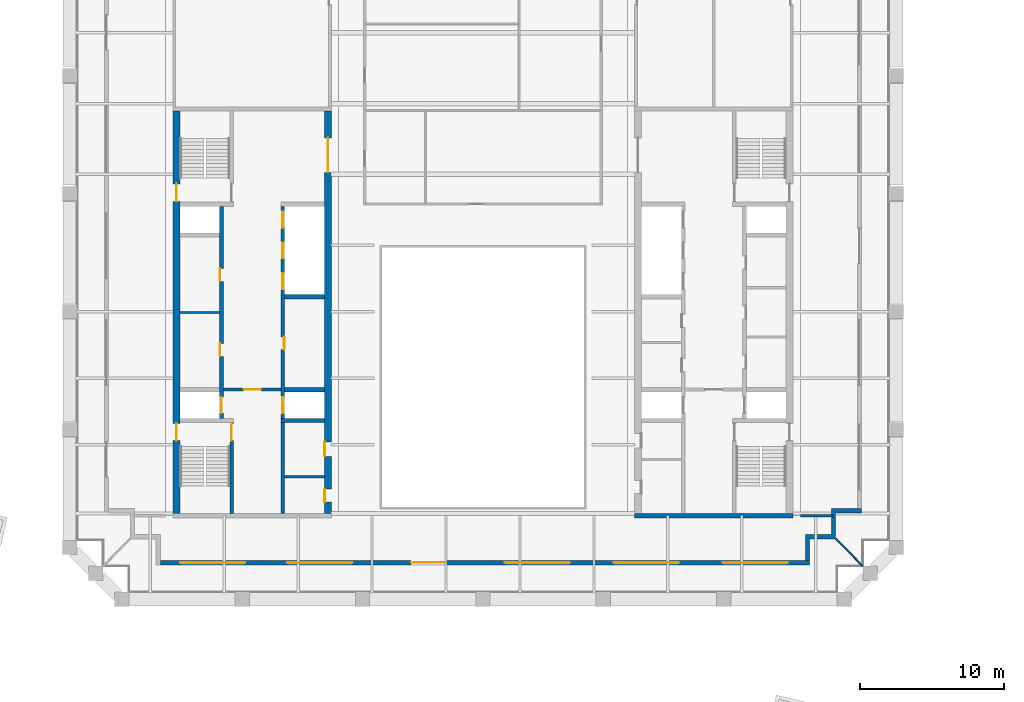
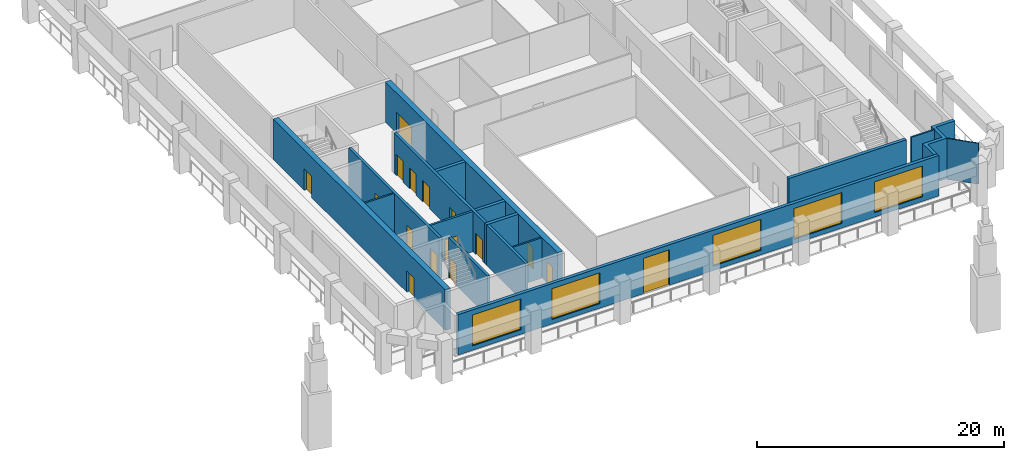
# One storey, part 3 of 8: 16 doors, 16 walls, 5 windows, 21 openings.
"""IFC4 building model written with IfcOpenShell, lengths in metres."""

from ifc_helpers import new_model, si_unit, direction, frame, frame_2d, origin, place, context, subcontext, project, spatial, polyline, rectangle, outline, extrude, material, layer, layer_set, type_object, element, fill, save


model = new_model("IFC4")

# Units and contexts
model_context = context("Model", 3, precision=1e-05, world=origin(), true_north=direction((0.0, 1.0)))
body_context = subcontext(model_context, "Body", "Model", "MODEL_VIEW")
ifc_project = project(units=[si_unit("LENGTHUNIT", "METRE"), si_unit("AREAUNIT", "SQUARE_METRE"), si_unit("VOLUMEUNIT", "CUBIC_METRE"), si_unit("PLANEANGLEUNIT", "RADIAN"), si_unit("MASSUNIT", "GRAM", prefix="KILO")], contexts=[model_context])

# Site, building, storey
site_placement = place(None, origin())
site = spatial("IfcSite", under=ifc_project, at=site_placement, CompositionType="ELEMENT")
building_placement = place(site_placement, origin())
building = spatial("IfcBuilding", under=site, at=building_placement, Name="Ogive Exchange Tower", CompositionType="ELEMENT")
storey_placement = place(building_placement, frame((0.0, 0.0, 309.0)))
storey = spatial("IfcBuildingStorey", under=building, at=storey_placement, Name="L67", CompositionType="ELEMENT", Elevation=309.0)

# Walls
ifc_material_1 = material(Name="Gypsum board partition")
ifc_layer_1 = layer(ifc_material_1, 0.14990234375)
ifc_layer_set_1 = layer_set([ifc_layer_1], Name="Core room partition 150 gypsum")
wall_type_1 = type_object("IfcWallType", Name="Core room partition 150 gypsum", PredefinedType="PARTITIONING", material=ifc_layer_set_1)
for number, where, z_axis, x_axis, name in (
    (1, (-21.0, 11.5, 0.0), (0.0, 0.0, 1.0), (1.0, 0.0, 0.0), "W row A bay partition 1-1"),
    (2, (-13.75, 0.10009765625, 0.0), (0.0, 0.0, 1.0), (1.0, 0.0, 0.0), "W south room partition"),
):
    element("IfcWall", number, at=place(storey_placement, frame(where, z_axis=z_axis, x_axis=x_axis)), inside=storey, type_object=wall_type_1, Name=name, PredefinedType="PARTITIONING", context=body_context, shape_type="SweptSolid", body=[
        extrude(rectangle(XDim=2.75, YDim=0.14990234375, at=frame_2d((1.375, 0.0))), origin(), (0.0, 0.0, 1.0), 4.0),
    ])
ifc_material_2 = material(Name="Fire partition EI 60 150")
ifc_layer_2 = layer(ifc_material_2, 0.14990234375)
ifc_layer_set_2 = layer_set([ifc_layer_2], Name="Fire partition EI 60 150")
wall_type_2 = type_object("IfcWallType", Name="Fire partition EI 60 150", PredefinedType="PARTITIONING", material=ifc_layer_set_2)
wall_1_placement = place(storey_placement, frame((22.0, -2.60009765625, 0.0), z_axis=(0.0, 0.0, 1.0), x_axis=(1.0, 0.0, 0.0)))
element("IfcWall", 3, at=wall_1_placement, inside=storey, type_object=wall_type_2, Name="L67-PWL-026", PredefinedType="PARTITIONING", context=body_context, shape_type="SweptSolid", body=[
    extrude(rectangle(XDim=2.25, YDim=0.14990234375, at=frame_2d((1.125, 0.0))), origin(), (0.0, 0.0, 1.0), 4.0),
])

# Wall, openings, door, windows
ifc_material_3 = material(Name="Precast concrete C40/50", Category="concrete")
ifc_layer_3 = layer(ifc_material_3, 0.300048828125)
ifc_layer_set_3 = layer_set([ifc_layer_3], Name="Limestone-faced wall 300")
wall_type_3 = type_object("IfcWallType", Name="Limestone-faced wall 300", PredefinedType="STANDARD", material=ifc_layer_set_3)
wall_2_placement = place(storey_placement, frame((-22.35009765625, -5.85009765625, 0.0), z_axis=(0.0, 0.0, 1.0), x_axis=(1.0, 0.0, 0.0)))
wall_2 = element("IfcWall", 4, at=wall_2_placement, inside=storey, type_object=wall_type_3, Name="External wall S1", PredefinedType="STANDARD", context=body_context, shape_type="SweptSolid", body=[
    extrude(rectangle(XDim=45.0, YDim=0.300048828125, at=frame_2d((22.5, 0.0))), origin(), (0.0, 0.0, 1.0), 4.0),
])
opening_1_placement = place(wall_2_placement, frame((1.375, 0.0, 0.449951171875)))
opening_1 = element("IfcOpeningElement", 5, at=opening_1_placement, cuts=wall_2, Name="Opening W1", PredefinedType="OPENING", context=body_context, shape_type="SweptSolid", body=[
    extrude(rectangle(XDim=4.5, YDim=3.050048828125, at=frame_2d((2.25, 1.52490234375))), frame((0.0, 0.159912109375, 0.0), z_axis=(0.0, -1.0, 0.0), x_axis=(1.0, 0.0, 0.0)), (0.0, 0.0, 1.0), 0.320068359375),
])
opening_2_placement = place(wall_2_placement, frame((8.77490234375, 0.0, 0.449951171875)))
opening_2 = element("IfcOpeningElement", 6, at=opening_2_placement, cuts=wall_2, Name="Opening W1", PredefinedType="OPENING", context=body_context, shape_type="SweptSolid", body=[
    extrude(rectangle(XDim=4.5, YDim=3.050048828125, at=frame_2d((2.25, 1.52490234375))), frame((0.0, 0.159912109375, 0.0), z_axis=(0.0, -1.0, 0.0), x_axis=(1.0, 0.0, 0.0)), (0.0, 0.0, 1.0), 0.320068359375),
])
opening_3_placement = place(wall_2_placement, frame((17.375, 0.0, 0.0)))
opening_3 = element("IfcOpeningElement", 7, at=opening_3_placement, cuts=wall_2, Name="Opening D1", PredefinedType="OPENING", context=body_context, shape_type="SweptSolid", body=[
    extrude(rectangle(XDim=2.39990234375, YDim=3.5, at=frame_2d((1.199951171875, 1.75))), frame((0.0, 0.159912109375, 0.0), z_axis=(0.0, -1.0, 0.0), x_axis=(1.0, 0.0, 0.0)), (0.0, 0.0, 1.0), 0.320068359375),
])
opening_4_placement = place(wall_2_placement, frame((23.875, 0.0, 0.449951171875)))
opening_4 = element("IfcOpeningElement", 8, at=opening_4_placement, cuts=wall_2, Name="Opening W1", PredefinedType="OPENING", context=body_context, shape_type="SweptSolid", body=[
    extrude(rectangle(XDim=4.5, YDim=3.050048828125, at=frame_2d((2.25, 1.52490234375))), frame((0.0, 0.159912109375, 0.0), z_axis=(0.0, -1.0, 0.0), x_axis=(1.0, 0.0, 0.0)), (0.0, 0.0, 1.0), 0.320068359375),
])
opening_5_placement = place(wall_2_placement, frame((31.425048828125, 0.0, 0.449951171875)))
opening_5 = element("IfcOpeningElement", 9, at=opening_5_placement, cuts=wall_2, Name="Opening W1", PredefinedType="OPENING", context=body_context, shape_type="SweptSolid", body=[
    extrude(rectangle(XDim=4.5, YDim=3.050048828125, at=frame_2d((2.25, 1.52490234375))), frame((0.0, 0.159912109375, 0.0), z_axis=(0.0, -1.0, 0.0), x_axis=(1.0, 0.0, 0.0)), (0.0, 0.0, 1.0), 0.320068359375),
])
opening_6_placement = place(wall_2_placement, frame((38.97509765625, 0.0, 0.449951171875)))
opening_6 = element("IfcOpeningElement", 10, at=opening_6_placement, cuts=wall_2, Name="Opening W1", PredefinedType="OPENING", context=body_context, shape_type="SweptSolid", body=[
    extrude(rectangle(XDim=4.5, YDim=3.050048828125, at=frame_2d((2.25, 1.52490234375))), frame((0.0, 0.159912109375, 0.0), z_axis=(0.0, -1.0, 0.0), x_axis=(1.0, 0.0, 0.0)), (0.0, 0.0, 1.0), 0.320068359375),
])
ifc_material_4 = material(Name="Clear glass in bronze frame", Category="glass")
door_type_1 = type_object("IfcDoorType", Name="Sliding loggia door 2400 x 3500", OperationType="DOUBLE_DOOR_SLIDING", PredefinedType="DOOR", material=ifc_material_4)
door_1_placement = place(opening_3_placement, origin())
door_1 = element("IfcDoor", 11, at=door_1_placement, inside=storey, type_object=door_type_1, Name="Loggia door S02", OperationType="DOUBLE_DOOR_SLIDING", OverallHeight=3.5, OverallWidth=2.39990234375, PredefinedType="DOOR", context=body_context, shape_type="SweptSolid", body=[
    extrude(rectangle(XDim=2.39990234375, YDim=3.5, at=frame_2d((1.199951171875, 1.75))), frame((0.0, 0.02490234375, 0.0), z_axis=(0.0, -1.0, 0.0), x_axis=(1.0, 0.0, 0.0)), (0.0, 0.0, 1.0), 0.050048828125),
])
fill(opening_3, door_1)
window_type = type_object("IfcWindowType", Name="Twin lancet window 4500 x 3050", PartitioningType="DOUBLE_PANEL_VERTICAL", PredefinedType="WINDOW", material=ifc_material_4)
window_1_placement = place(opening_1_placement, origin())
window_1 = element("IfcWindow", 12, at=window_1_placement, inside=storey, type_object=window_type, Name="Window S00", OverallHeight=3.050048828125, OverallWidth=4.5, PartitioningType="DOUBLE_PANEL_VERTICAL", PredefinedType="WINDOW", context=body_context, shape_type="SweptSolid", body=[
    extrude(rectangle(XDim=4.5, YDim=3.050048828125, at=frame_2d((2.25, 1.52490234375))), frame((0.0, 0.030029296875, 0.0), z_axis=(0.0, -1.0, 0.0), x_axis=(1.0, 0.0, 0.0)), (0.0, 0.0, 1.0), 0.06005859375),
])
fill(opening_1, window_1)
window_2_placement = place(opening_2_placement, origin())
window_2 = element("IfcWindow", 13, at=window_2_placement, inside=storey, type_object=window_type, Name="Window S01", OverallHeight=3.050048828125, OverallWidth=4.5, PartitioningType="DOUBLE_PANEL_VERTICAL", PredefinedType="WINDOW", context=body_context, shape_type="SweptSolid", body=[
    extrude(rectangle(XDim=4.5, YDim=3.050048828125, at=frame_2d((2.25, 1.52490234375))), frame((0.0, 0.030029296875, 0.0), z_axis=(0.0, -1.0, 0.0), x_axis=(1.0, 0.0, 0.0)), (0.0, 0.0, 1.0), 0.06005859375),
])
fill(opening_2, window_2)
window_3_placement = place(opening_4_placement, origin())
window_3 = element("IfcWindow", 14, at=window_3_placement, inside=storey, type_object=window_type, Name="Window S03", OverallHeight=3.050048828125, OverallWidth=4.5, PartitioningType="DOUBLE_PANEL_VERTICAL", PredefinedType="WINDOW", context=body_context, shape_type="SweptSolid", body=[
    extrude(rectangle(XDim=4.5, YDim=3.050048828125, at=frame_2d((2.25, 1.52490234375))), frame((0.0, 0.030029296875, 0.0), z_axis=(0.0, -1.0, 0.0), x_axis=(1.0, 0.0, 0.0)), (0.0, 0.0, 1.0), 0.06005859375),
])
fill(opening_4, window_3)
window_4_placement = place(opening_5_placement, origin())
window_4 = element("IfcWindow", 15, at=window_4_placement, inside=storey, type_object=window_type, Name="Window S04", OverallHeight=3.050048828125, OverallWidth=4.5, PartitioningType="DOUBLE_PANEL_VERTICAL", PredefinedType="WINDOW", context=body_context, shape_type="SweptSolid", body=[
    extrude(rectangle(XDim=4.5, YDim=3.050048828125, at=frame_2d((2.25, 1.52490234375))), frame((0.0, 0.030029296875, 0.0), z_axis=(0.0, -1.0, 0.0), x_axis=(1.0, 0.0, 0.0)), (0.0, 0.0, 1.0), 0.06005859375),
])
fill(opening_5, window_4)
window_5_placement = place(opening_6_placement, origin())
window_5 = element("IfcWindow", 16, at=window_5_placement, inside=storey, type_object=window_type, Name="Window S05", OverallHeight=3.050048828125, OverallWidth=4.5, PartitioningType="DOUBLE_PANEL_VERTICAL", PredefinedType="WINDOW", context=body_context, shape_type="SweptSolid", body=[
    extrude(rectangle(XDim=4.5, YDim=3.050048828125, at=frame_2d((2.25, 1.52490234375))), frame((0.0, 0.030029296875, 0.0), z_axis=(0.0, -1.0, 0.0), x_axis=(1.0, 0.0, 0.0)), (0.0, 0.0, 1.0), 0.06005859375),
])
fill(opening_6, window_5)

# Walls
wall_3_placement = place(storey_placement, origin())
element("IfcWall", 17, at=wall_3_placement, inside=storey, type_object=wall_type_3, Name="External corner wall C1", PredefinedType="STANDARD", context=body_context, shape_type="SweptSolid", body=[
    extrude(outline(polyline([(24.14990234375, -3.89990234375), (24.14990234375, -2.10009765625), (26.25, -2.10009765625), (26.25, -2.39990234375), (24.449951171875, -2.39990234375), (24.449951171875, -4.199951171875), (22.64990234375, -4.199951171875), (22.64990234375, -5.699951171875), (22.35009765625, -5.699951171875), (22.35009765625, -3.89990234375), (24.14990234375, -3.89990234375)])), origin(), (0.0, 0.0, 1.0), 4.0),
])
ifc_material_5 = material(Name="Laminated safety glass in steel frame", Category="steel")
ifc_layer_4 = layer(ifc_material_5, 0.10009765625)
ifc_layer_set_4 = layer_set([ifc_layer_4], Name="Loggia end screen 100")
wall_type_4 = type_object("IfcWallType", Name="Loggia end screen 100", PredefinedType="STANDARD", material=ifc_layer_set_4)
wall_4_placement = place(storey_placement, frame((24.449951171875, -4.199951171875, -0.050048828125), z_axis=(0.0, 0.0, 1.0), x_axis=(0.707106781187, -0.707106781187, 0.0)))
element("IfcWall", 18, at=wall_4_placement, inside=storey, type_object=wall_type_4, Name="Loggia end screen C1", PredefinedType="STANDARD", context=body_context, shape_type="SweptSolid", body=[
    extrude(rectangle(XDim=2.667236328125, YDim=0.10009765625, at=frame_2d((1.33349609375, 0.0))), origin(), (0.0, 0.0, 1.0), 4.050048828125),
])

# Wall, opening, door
ifc_material_6 = material(Name="Concrete C70/85", Category="concrete")
ifc_layer_5 = layer(ifc_material_6, 0.199951171875)
ifc_layer_set_5 = layer_set([ifc_layer_5], Name="RC core wall 200 C70/85")
wall_type_5 = type_object("IfcWallType", Name="RC core wall 200 C70/85", PredefinedType="SHEAR", material=ifc_layer_set_5)
wall_5_placement = place(storey_placement, frame((-18.0, 6.142822265625, 0.0), z_axis=(0.0, 0.0, 1.0), x_axis=(1.0, 0.0, 0.0)))
wall_5 = element("IfcWall", 19, at=wall_5_placement, inside=storey, type_object=wall_type_5, Name="W firefighting lobby wall", PredefinedType="SHEAR", context=body_context, shape_type="SweptSolid", body=[
    extrude(rectangle(XDim=4.0, YDim=0.199951171875, at=frame_2d((2.0, 0.0))), origin(), (0.0, 0.0, 1.0), 4.0),
])
opening_7_placement = place(wall_5_placement, frame((1.39990234375, 0.0, 0.0)))
opening_7 = element("IfcOpeningElement", 20, at=opening_7_placement, cuts=wall_5, Name="Opening L67-C09", PredefinedType="OPENING", context=body_context, shape_type="SweptSolid", body=[
    extrude(rectangle(XDim=1.199951171875, YDim=2.10009765625, at=frame_2d((0.60009765625, 1.050048828125))), frame((0.0, 0.10986328125, 0.0), z_axis=(0.0, -1.0, 0.0), x_axis=(1.0, 0.0, 0.0)), (0.0, 0.0, 1.0), 0.219970703125),
])
ifc_material_7 = material(Name="Steel fire door", Category="steel")
door_type_2 = type_object("IfcDoorType", Name="Firefighting lobby door FD60 1200 x 2100", OperationType="NOTDEFINED", PredefinedType="DOOR", material=ifc_material_7)
door_2_placement = place(opening_7_placement, frame((1.199951171875, 0.0, 0.0), z_axis=(0.0, 0.0, 1.0), x_axis=(-1.0, 0.0, 0.0)))
door_2 = element("IfcDoor", 21, at=door_2_placement, inside=storey, type_object=door_type_2, Name="Firefighting lobby door", ObjectType="CD3", OperationType="SINGLE_SWING_LEFT", OverallHeight=2.10009765625, OverallWidth=1.199951171875, PredefinedType="DOOR", context=body_context, shape_type="SweptSolid", body=[
    extrude(rectangle(XDim=1.199951171875, YDim=2.10009765625, at=frame_2d((0.60009765625, 1.050048828125))), frame((0.0, 0.02490234375, 0.0), z_axis=(0.0, -1.0, 0.0), x_axis=(1.0, 0.0, 0.0)), (0.0, 0.0, 1.0), 0.050048828125),
])
fill(opening_7, door_2)

ifc_layer_6 = layer(ifc_material_6, 0.25)
ifc_layer_set_6 = layer_set([ifc_layer_6], Name="RC core wall 250 C70/85")
wall_type_6 = type_object("IfcWallType", Name="RC core wall 250 C70/85", PredefinedType="SHEAR", material=ifc_layer_set_6)
wall_6_placement = place(storey_placement, frame((-17.425048828125, -2.449951171875, 0.0), z_axis=(0.0, 0.0, 1.0), x_axis=(0.0, 1.0, 0.0)))
wall_6 = element("IfcWall", 22, at=wall_6_placement, inside=storey, type_object=wall_type_6, Name="W stair S front wall", PredefinedType="SHEAR", context=body_context, shape_type="SweptSolid", body=[
    extrude(rectangle(XDim=6.300048828125, YDim=0.25, at=frame_2d((3.14990234375, 0.0))), origin(), (0.0, 0.0, 1.0), 4.0),
])
opening_8_placement = place(wall_6_placement, frame((5.050048828125, 0.0, 0.0)))
opening_8 = element("IfcOpeningElement", 23, at=opening_8_placement, cuts=wall_6, Name="Opening L67-C11", PredefinedType="OPENING", context=body_context, shape_type="SweptSolid", body=[
    extrude(rectangle(XDim=1.199951171875, YDim=2.10009765625, at=frame_2d((0.60009765625, 1.050048828125))), frame((0.0, 0.135009765625, 0.0), z_axis=(0.0, -1.0, 0.0), x_axis=(1.0, 0.0, 0.0)), (0.0, 0.0, 1.0), 0.27001953125),
])
door_type_3 = type_object("IfcDoorType", Name="Stair door FD90 1200 x 2100", OperationType="NOTDEFINED", PredefinedType="DOOR", material=ifc_material_7)
door_3_placement = place(opening_8_placement, origin())
door_3 = element("IfcDoor", 24, at=door_3_placement, inside=storey, type_object=door_type_3, Name="Stair door", ObjectType="CD5", OperationType="SINGLE_SWING_LEFT", OverallHeight=2.10009765625, OverallWidth=1.199951171875, PredefinedType="DOOR", context=body_context, shape_type="SweptSolid", body=[
    extrude(rectangle(XDim=1.199951171875, YDim=2.10009765625, at=frame_2d((0.60009765625, 1.050048828125))), frame((0.0, 0.02490234375, 0.0), z_axis=(0.0, -1.0, 0.0), x_axis=(1.0, 0.0, 0.0)), (0.0, 0.0, 1.0), 0.050048828125),
])
fill(opening_8, door_3)

# Wall, openings, doors
wall_7_placement = place(storey_placement, frame((-18.125, 4.14990234375, 0.0), z_axis=(0.0, 0.0, 1.0), x_axis=(0.0, 1.0, 0.0)))
wall_7 = element("IfcWall", 25, at=wall_7_placement, inside=storey, type_object=wall_type_6, Name="W row A front wall", PredefinedType="SHEAR", context=body_context, shape_type="SweptSolid", body=[
    extrude(rectangle(XDim=14.7001953125, YDim=0.25, at=frame_2d((7.35009765625, 0.0))), origin(), (0.0, 0.0, 1.0), 4.0),
])
opening_9_placement = place(wall_7_placement, frame((4.29638671875, 0.0, 0.0)))
opening_9 = element("IfcOpeningElement", 26, at=opening_9_placement, cuts=wall_7, Name="Opening L67-C01", PredefinedType="OPENING", context=body_context, shape_type="SweptSolid", body=[
    extrude(rectangle(XDim=0.89990234375, YDim=2.10009765625, at=frame_2d((0.449951171875, 1.050048828125))), frame((0.0, 0.135009765625, 0.0), z_axis=(0.0, -1.0, 0.0), x_axis=(1.0, 0.0, 0.0)), (0.0, 0.0, 1.0), 0.27001953125),
])
opening_10_placement = place(wall_7_placement, frame((9.503662109375, 0.0, 0.0)))
opening_10 = element("IfcOpeningElement", 27, at=opening_10_placement, cuts=wall_7, Name="Opening L67-C02", PredefinedType="OPENING", context=body_context, shape_type="SweptSolid", body=[
    extrude(rectangle(XDim=0.89990234375, YDim=2.10009765625, at=frame_2d((0.449951171875, 1.050048828125))), frame((0.0, 0.135009765625, 0.0), z_axis=(0.0, -1.0, 0.0), x_axis=(1.0, 0.0, 0.0)), (0.0, 0.0, 1.0), 0.27001953125),
])
opening_11_placement = place(wall_7_placement, frame((0.371337890625, 0.0, 0.0)))
opening_11 = element("IfcOpeningElement", 28, at=opening_11_placement, cuts=wall_7, Name="Opening L67-C03", PredefinedType="OPENING", context=body_context, shape_type="SweptSolid", body=[
    extrude(rectangle(XDim=1.10009765625, YDim=2.10009765625, at=frame_2d((0.550048828125, 1.050048828125))), frame((0.0, 0.135009765625, 0.0), z_axis=(0.0, -1.0, 0.0), x_axis=(1.0, 0.0, 0.0)), (0.0, 0.0, 1.0), 0.27001953125),
])
ifc_material_8 = material(Name="Timber fire door", Category="wood")
door_type_4 = type_object("IfcDoorType", Name="Core room door FD30S 900 x 2100", OperationType="NOTDEFINED", PredefinedType="DOOR", material=ifc_material_8)
door_4_placement = place(opening_10_placement, origin())
door_4 = element("IfcDoor", 29, at=door_4_placement, inside=storey, type_object=door_type_4, Name="Core room door", ObjectType="CD6", OperationType="SINGLE_SWING_RIGHT", OverallHeight=2.10009765625, OverallWidth=0.89990234375, PredefinedType="DOOR", context=body_context, shape_type="SweptSolid", body=[
    extrude(rectangle(XDim=0.89990234375, YDim=2.10009765625, at=frame_2d((0.449951171875, 1.050048828125))), frame((0.0, 0.125, 0.0), z_axis=(0.0, -1.0, 0.0), x_axis=(1.0, 0.0, 0.0)), (0.0, 0.0, 1.0), 0.050048828125),
])
fill(opening_10, door_4)
ifc_material_9 = material(Name="Stainless steel", Category="steel")
door_type_5 = type_object("IfcDoorType", Name="Lift landing door FD90 1100 x 2100", OperationType="SLIDING_TO_LEFT", PredefinedType="DOOR", material=ifc_material_9)
door_5_placement = place(opening_11_placement, origin())
door_5 = element("IfcDoor", 30, at=door_5_placement, inside=storey, type_object=door_type_5, Name="Lift landing door FF1", ObjectType="LD", OperationType="SLIDING_TO_LEFT", OverallHeight=2.10009765625, OverallWidth=1.10009765625, PredefinedType="DOOR", context=body_context, shape_type="SweptSolid", body=[
    extrude(rectangle(XDim=1.10009765625, YDim=2.10009765625, at=frame_2d((0.550048828125, 1.050048828125))), frame((0.0, 0.02490234375, 0.0), z_axis=(0.0, -1.0, 0.0), x_axis=(1.0, 0.0, 0.0)), (0.0, 0.0, 1.0), 0.050048828125),
])
fill(opening_11, door_5)
door_type_6 = type_object("IfcDoorType", Name="Riser door FD60 900 x 2100", OperationType="NOTDEFINED", PredefinedType="DOOR", material=ifc_material_7)
door_6_placement = place(opening_9_placement, origin())
door_6 = element("IfcDoor", 31, at=door_6_placement, inside=storey, type_object=door_type_6, Name="Riser door", ObjectType="CD2", OperationType="SINGLE_SWING_RIGHT", OverallHeight=2.10009765625, OverallWidth=0.89990234375, PredefinedType="DOOR", context=body_context, shape_type="SweptSolid", body=[
    extrude(rectangle(XDim=0.89990234375, YDim=2.10009765625, at=frame_2d((0.449951171875, 1.050048828125))), frame((0.0, 0.125, 0.0), z_axis=(0.0, -1.0, 0.0), x_axis=(1.0, 0.0, 0.0)), (0.0, 0.0, 1.0), 0.050048828125),
])
fill(opening_9, door_6)

wall_8_placement = place(storey_placement, frame((-13.875, -2.449951171875, 0.0), z_axis=(0.0, 0.0, 1.0), x_axis=(0.0, 1.0, 0.0)))
wall_8 = element("IfcWall", 32, at=wall_8_placement, inside=storey, type_object=wall_type_6, Name="W row B front wall", PredefinedType="SHEAR", context=body_context, shape_type="SweptSolid", body=[
    extrude(rectangle(XDim=21.300048828125, YDim=0.25, at=frame_2d((10.64990234375, 0.0))), origin(), (0.0, 0.0, 1.0), 4.0),
])
opening_12_placement = place(wall_8_placement, frame((11.357177734375, 0.0, 0.0)))
opening_12 = element("IfcOpeningElement", 33, at=opening_12_placement, cuts=wall_8, Name="Opening L67-C04", PredefinedType="OPENING", context=body_context, shape_type="SweptSolid", body=[
    extrude(rectangle(XDim=0.89990234375, YDim=2.10009765625, at=frame_2d((0.449951171875, 1.050048828125))), frame((0.0, 0.135009765625, 0.0), z_axis=(0.0, -1.0, 0.0), x_axis=(1.0, 0.0, 0.0)), (0.0, 0.0, 1.0), 0.27001953125),
])
opening_13_placement = place(wall_8_placement, frame((6.971435546875, 0.0, 0.0)))
opening_13 = element("IfcOpeningElement", 34, at=opening_13_placement, cuts=wall_8, Name="Opening L67-C05", PredefinedType="OPENING", context=body_context, shape_type="SweptSolid", body=[
    extrude(rectangle(XDim=1.10009765625, YDim=2.10009765625, at=frame_2d((0.550048828125, 1.050048828125))), frame((0.0, 0.135009765625, 0.0), z_axis=(0.0, -1.0, 0.0), x_axis=(1.0, 0.0, 0.0)), (0.0, 0.0, 1.0), 0.27001953125),
])
opening_14_placement = place(wall_8_placement, frame((15.54296875, 0.0, 0.0)))
opening_14 = element("IfcOpeningElement", 35, at=opening_14_placement, cuts=wall_8, Name="Opening L67-C06", PredefinedType="OPENING", context=body_context, shape_type="SweptSolid", body=[
    extrude(rectangle(XDim=1.10009765625, YDim=2.10009765625, at=frame_2d((0.550048828125, 1.050048828125))), frame((0.0, 0.135009765625, 0.0), z_axis=(0.0, -1.0, 0.0), x_axis=(1.0, 0.0, 0.0)), (0.0, 0.0, 1.0), 0.27001953125),
])
opening_15_placement = place(wall_8_placement, frame((17.685791015625, 0.0, 0.0)))
opening_15 = element("IfcOpeningElement", 36, at=opening_15_placement, cuts=wall_8, Name="Opening L67-C07", PredefinedType="OPENING", context=body_context, shape_type="SweptSolid", body=[
    extrude(rectangle(XDim=1.10009765625, YDim=2.10009765625, at=frame_2d((0.550048828125, 1.050048828125))), frame((0.0, 0.135009765625, 0.0), z_axis=(0.0, -1.0, 0.0), x_axis=(1.0, 0.0, 0.0)), (0.0, 0.0, 1.0), 0.27001953125),
])
opening_16_placement = place(wall_8_placement, frame((19.82861328125, 0.0, 0.0)))
opening_16 = element("IfcOpeningElement", 37, at=opening_16_placement, cuts=wall_8, Name="Opening L67-C08", PredefinedType="OPENING", context=body_context, shape_type="SweptSolid", body=[
    extrude(rectangle(XDim=1.10009765625, YDim=2.10009765625, at=frame_2d((0.550048828125, 1.050048828125))), frame((0.0, 0.135009765625, 0.0), z_axis=(0.0, -1.0, 0.0), x_axis=(1.0, 0.0, 0.0)), (0.0, 0.0, 1.0), 0.27001953125),
])
door_7_placement = place(opening_13_placement, origin())
door_7 = element("IfcDoor", 38, at=door_7_placement, inside=storey, type_object=door_type_5, Name="Lift landing door SV1", ObjectType="LD", OperationType="SLIDING_TO_LEFT", OverallHeight=2.10009765625, OverallWidth=1.10009765625, PredefinedType="DOOR", context=body_context, shape_type="SweptSolid", body=[
    extrude(rectangle(XDim=1.10009765625, YDim=2.10009765625, at=frame_2d((0.550048828125, 1.050048828125))), frame((0.0, 0.02490234375, 0.0), z_axis=(0.0, -1.0, 0.0), x_axis=(1.0, 0.0, 0.0)), (0.0, 0.0, 1.0), 0.050048828125),
])
fill(opening_13, door_7)
door_8_placement = place(opening_14_placement, origin())
door_8 = element("IfcDoor", 39, at=door_8_placement, inside=storey, type_object=door_type_5, Name="Lift landing door W-H1", ObjectType="LD", OperationType="SLIDING_TO_LEFT", OverallHeight=2.10009765625, OverallWidth=1.10009765625, PredefinedType="DOOR", context=body_context, shape_type="SweptSolid", body=[
    extrude(rectangle(XDim=1.10009765625, YDim=2.10009765625, at=frame_2d((0.550048828125, 1.050048828125))), frame((0.0, 0.02490234375, 0.0), z_axis=(0.0, -1.0, 0.0), x_axis=(1.0, 0.0, 0.0)), (0.0, 0.0, 1.0), 0.050048828125),
])
fill(opening_14, door_8)
door_9_placement = place(opening_15_placement, origin())
door_9 = element("IfcDoor", 40, at=door_9_placement, inside=storey, type_object=door_type_5, Name="Lift landing door W-H2", ObjectType="LD", OperationType="SLIDING_TO_LEFT", OverallHeight=2.10009765625, OverallWidth=1.10009765625, PredefinedType="DOOR", context=body_context, shape_type="SweptSolid", body=[
    extrude(rectangle(XDim=1.10009765625, YDim=2.10009765625, at=frame_2d((0.550048828125, 1.050048828125))), frame((0.0, 0.02490234375, 0.0), z_axis=(0.0, -1.0, 0.0), x_axis=(1.0, 0.0, 0.0)), (0.0, 0.0, 1.0), 0.050048828125),
])
fill(opening_15, door_9)
door_10_placement = place(opening_16_placement, origin())
door_10 = element("IfcDoor", 41, at=door_10_placement, inside=storey, type_object=door_type_5, Name="Lift landing door W-H3", ObjectType="LD", OperationType="SLIDING_TO_LEFT", OverallHeight=2.10009765625, OverallWidth=1.10009765625, PredefinedType="DOOR", context=body_context, shape_type="SweptSolid", body=[
    extrude(rectangle(XDim=1.10009765625, YDim=2.10009765625, at=frame_2d((0.550048828125, 1.050048828125))), frame((0.0, 0.02490234375, 0.0), z_axis=(0.0, -1.0, 0.0), x_axis=(1.0, 0.0, 0.0)), (0.0, 0.0, 1.0), 0.050048828125),
])
fill(opening_16, door_10)
door_11_placement = place(opening_12_placement, frame((0.89990234375, -0.2001953125, 0.0), z_axis=(0.0, 0.0, 1.0), x_axis=(-1.0, 0.0, 0.0)))
door_11 = element("IfcDoor", 42, at=door_11_placement, inside=storey, type_object=door_type_6, Name="Riser door", ObjectType="CD2", OperationType="SINGLE_SWING_RIGHT", OverallHeight=2.10009765625, OverallWidth=0.89990234375, PredefinedType="DOOR", context=body_context, shape_type="SweptSolid", body=[
    extrude(rectangle(XDim=0.89990234375, YDim=2.10009765625, at=frame_2d((0.449951171875, 1.050048828125))), frame((0.0, -0.0751953125, 0.0), z_axis=(0.0, -1.0, 0.0), x_axis=(1.0, 0.0, 0.0)), (0.0, 0.0, 1.0), 0.050048828125),
])
fill(opening_12, door_11)

# Walls
ifc_layer_7 = layer(ifc_material_6, 0.300048828125)
ifc_layer_set_7 = layer_set([ifc_layer_7], Name="RC core wall 300 C70/85")
wall_type_7 = type_object("IfcWallType", Name="RC core wall 300 C70/85", PredefinedType="SHEAR", material=ifc_layer_set_7)
wall_9_placement = place(storey_placement, frame((-14.0, 4.0, 0.0), z_axis=(0.0, 0.0, 1.0), x_axis=(1.0, 0.0, 0.0)))
element("IfcWall", 43, at=wall_9_placement, inside=storey, type_object=wall_type_7, Name="W row B divider 0", PredefinedType="SHEAR", context=body_context, shape_type="SweptSolid", body=[
    extrude(rectangle(XDim=3.0, YDim=0.300048828125, at=frame_2d((1.5, 0.0))), origin(), (0.0, 0.0, 1.0), 4.0),
])
for number, where, z_axis, x_axis, name in (
    (44, (-13.75, 6.142822265625, 0.0), (0.0, 0.0, 1.0), (1.0, 0.0, 0.0), "W row B divider 1"),
    (45, (-13.75, 12.5712890625, 0.0), (0.0, 0.0, 1.0), (1.0, 0.0, 0.0), "W row B divider 4"),
):
    element("IfcWall", number, at=place(storey_placement, frame(where, z_axis=z_axis, x_axis=x_axis)), inside=storey, type_object=wall_type_7, Name=name, PredefinedType="SHEAR", context=body_context, shape_type="SweptSolid", body=[
        extrude(rectangle(XDim=2.75, YDim=0.300048828125, at=frame_2d((1.375, 0.0))), origin(), (0.0, 0.0, 1.0), 4.0),
    ])
wall_10_placement = place(storey_placement, frame((10.5, -2.60009765625, 0.0), z_axis=(0.0, 0.0, 1.0), x_axis=(1.0, 0.0, 0.0)))
element("IfcWall", 46, at=wall_10_placement, inside=storey, type_object=wall_type_7, Name="E south end wall", PredefinedType="SHEAR", context=body_context, shape_type="SweptSolid", body=[
    extrude(rectangle(XDim=11.0, YDim=0.300048828125, at=frame_2d((5.5, 0.0))), origin(), (0.0, 0.0, 1.0), 4.0),
])

# Wall, openings, doors
ifc_layer_8 = layer(ifc_material_6, 0.5)
ifc_layer_set_8 = layer_set([ifc_layer_8], Name="RC core wall 500 C70/85")
wall_type_8 = type_object("IfcWallType", Name="RC core wall 500 C70/85", PredefinedType="SHEAR", material=ifc_layer_set_8)
wall_11_placement = place(storey_placement, frame((-21.25, -2.449951171875, 0.0), z_axis=(0.0, 0.0, 1.0), x_axis=(0.0, 1.0, 0.0)))
wall_11 = element("IfcWall", 47, at=wall_11_placement, inside=storey, type_object=wall_type_8, Name="W outer wall", PredefinedType="SHEAR", context=body_context, shape_type="SweptSolid", body=[
    extrude(rectangle(XDim=27.89990234375, YDim=0.5, at=frame_2d((13.949951171875, 0.0))), origin(), (0.0, 0.0, 1.0), 4.0),
])
opening_17_placement = place(wall_11_placement, frame((5.050048828125, 0.0, 0.0)))
opening_17 = element("IfcOpeningElement", 48, at=opening_17_placement, cuts=wall_11, Name="Opening L67-C12", PredefinedType="OPENING", context=body_context, shape_type="SweptSolid", body=[
    extrude(rectangle(XDim=1.199951171875, YDim=2.10009765625, at=frame_2d((0.60009765625, 1.050048828125))), frame((0.0, 0.260009765625, 0.0), z_axis=(0.0, -1.0, 0.0), x_axis=(1.0, 0.0, 0.0)), (0.0, 0.0, 1.0), 0.52001953125),
])
opening_18_placement = place(wall_11_placement, frame((21.64990234375, 0.0, 0.0)))
opening_18 = element("IfcOpeningElement", 49, at=opening_18_placement, cuts=wall_11, Name="Opening L67-C14", PredefinedType="OPENING", context=body_context, shape_type="SweptSolid", body=[
    extrude(rectangle(XDim=1.199951171875, YDim=2.10009765625, at=frame_2d((0.60009765625, 1.050048828125))), frame((0.0, 0.260009765625, 0.0), z_axis=(0.0, -1.0, 0.0), x_axis=(1.0, 0.0, 0.0)), (0.0, 0.0, 1.0), 0.52001953125),
])
door_12_placement = place(opening_17_placement, origin())
door_12 = element("IfcDoor", 50, at=door_12_placement, inside=storey, type_object=door_type_3, Name="Stair door", ObjectType="CD5", OperationType="SINGLE_SWING_LEFT", OverallHeight=2.10009765625, OverallWidth=1.199951171875, PredefinedType="DOOR", context=body_context, shape_type="SweptSolid", body=[
    extrude(rectangle(XDim=1.199951171875, YDim=2.10009765625, at=frame_2d((0.60009765625, 1.050048828125))), frame((0.0, 0.02490234375, 0.0), z_axis=(0.0, -1.0, 0.0), x_axis=(1.0, 0.0, 0.0)), (0.0, 0.0, 1.0), 0.050048828125),
])
fill(opening_17, door_12)
door_13_placement = place(opening_18_placement, origin())
door_13 = element("IfcDoor", 51, at=door_13_placement, inside=storey, type_object=door_type_3, Name="Stair door", ObjectType="CD5", OperationType="SINGLE_SWING_RIGHT", OverallHeight=2.10009765625, OverallWidth=1.199951171875, PredefinedType="DOOR", context=body_context, shape_type="SweptSolid", body=[
    extrude(rectangle(XDim=1.199951171875, YDim=2.10009765625, at=frame_2d((0.60009765625, 1.050048828125))), frame((0.0, 0.02490234375, 0.0), z_axis=(0.0, -1.0, 0.0), x_axis=(1.0, 0.0, 0.0)), (0.0, 0.0, 1.0), 0.050048828125),
])
fill(opening_18, door_13)

wall_12_placement = place(storey_placement, frame((-10.75, -2.449951171875, 0.0), z_axis=(0.0, 0.0, 1.0), x_axis=(0.0, 1.0, 0.0)))
wall_12 = element("IfcWall", 52, at=wall_12_placement, inside=storey, type_object=wall_type_8, Name="W inner wall", PredefinedType="SHEAR", context=body_context, shape_type="SweptSolid", body=[
    extrude(rectangle(XDim=27.89990234375, YDim=0.5, at=frame_2d((13.949951171875, 0.0))), origin(), (0.0, 0.0, 1.0), 4.0),
])
opening_19_placement = place(wall_12_placement, frame((23.64990234375, 0.0, 0.0)))
opening_19 = element("IfcOpeningElement", 53, at=opening_19_placement, cuts=wall_12, Name="Opening L67-C10", PredefinedType="OPENING", context=body_context, shape_type="SweptSolid", body=[
    extrude(rectangle(XDim=2.39990234375, YDim=2.10009765625, at=frame_2d((1.199951171875, 1.050048828125))), frame((0.0, 0.260009765625, 0.0), z_axis=(0.0, -1.0, 0.0), x_axis=(1.0, 0.0, 0.0)), (0.0, 0.0, 1.0), 0.52001953125),
])
opening_20_placement = place(wall_12_placement, frame((0.78759765625, 0.0, 0.0)))
opening_20 = element("IfcOpeningElement", 54, at=opening_20_placement, cuts=wall_12, Name="Opening L67-C15", PredefinedType="OPENING", context=body_context, shape_type="SweptSolid", body=[
    extrude(rectangle(XDim=0.89990234375, YDim=2.10009765625, at=frame_2d((0.449951171875, 1.050048828125))), frame((0.0, 0.260009765625, 0.0), z_axis=(0.0, -1.0, 0.0), x_axis=(1.0, 0.0, 0.0)), (0.0, 0.0, 1.0), 0.52001953125),
])
opening_21_placement = place(wall_12_placement, frame((3.96240234375, 0.0, 0.0)))
opening_21 = element("IfcOpeningElement", 55, at=opening_21_placement, cuts=wall_12, Name="Opening L67-C16", PredefinedType="OPENING", context=body_context, shape_type="SweptSolid", body=[
    extrude(rectangle(XDim=1.0, YDim=2.10009765625, at=frame_2d((0.5, 1.050048828125))), frame((0.0, 0.260009765625, 0.0), z_axis=(0.0, -1.0, 0.0), x_axis=(1.0, 0.0, 0.0)), (0.0, 0.0, 1.0), 0.52001953125),
])
door_type_7 = type_object("IfcDoorType", Name="Accessible WC door FD30S 1000 x 2100", OperationType="NOTDEFINED", PredefinedType="DOOR", material=ifc_material_8)
door_14_placement = place(opening_21_placement, frame((1.0, 0.4501953125, 0.0), z_axis=(0.0, 0.0, 1.0), x_axis=(-1.0, 0.0, 0.0)))
door_14 = element("IfcDoor", 56, at=door_14_placement, inside=storey, type_object=door_type_7, Name="Accessible WC door", ObjectType="CD7", OperationType="SINGLE_SWING_LEFT", OverallHeight=2.10009765625, OverallWidth=1.0, PredefinedType="DOOR", context=body_context, shape_type="SweptSolid", body=[
    extrude(rectangle(XDim=1.0, YDim=2.10009765625, at=frame_2d((0.5, 1.050048828125))), frame((0.0, 0.25, 0.0), z_axis=(0.0, -1.0, 0.0), x_axis=(1.0, 0.0, 0.0)), (0.0, 0.0, 1.0), 0.050048828125),
])
fill(opening_21, door_14)
door_15_placement = place(opening_20_placement, frame((0.89990234375, 0.4501953125, 0.0), z_axis=(0.0, 0.0, 1.0), x_axis=(-1.0, 0.0, 0.0)))
door_15 = element("IfcDoor", 57, at=door_15_placement, inside=storey, type_object=door_type_4, Name="Core room door", ObjectType="CD6", OperationType="SINGLE_SWING_LEFT", OverallHeight=2.10009765625, OverallWidth=0.89990234375, PredefinedType="DOOR", context=body_context, shape_type="SweptSolid", body=[
    extrude(rectangle(XDim=0.89990234375, YDim=2.10009765625, at=frame_2d((0.449951171875, 1.050048828125))), frame((0.0, 0.25, 0.0), z_axis=(0.0, -1.0, 0.0), x_axis=(1.0, 0.0, 0.0)), (0.0, 0.0, 1.0), 0.050048828125),
])
fill(opening_20, door_15)
ifc_material_10 = material(Name="Glazed steel fire door", Category="steel")
door_type_8 = type_object("IfcDoorType", Name="Lift lobby double door FD60 2400 x 2100", OperationType="DOUBLE_DOOR_SINGLE_SWING", PredefinedType="DOOR", material=ifc_material_10)
door_16_placement = place(opening_19_placement, frame((2.39990234375, 0.0, 0.0), z_axis=(0.0, 0.0, 1.0), x_axis=(-1.0, 0.0, 0.0)))
door_16 = element("IfcDoor", 58, at=door_16_placement, inside=storey, type_object=door_type_8, Name="Lift lobby double door", ObjectType="CD4", OperationType="DOUBLE_DOOR_SINGLE_SWING", OverallHeight=2.10009765625, OverallWidth=2.39990234375, PredefinedType="DOOR", context=body_context, shape_type="SweptSolid", body=[
    extrude(rectangle(XDim=2.39990234375, YDim=2.10009765625, at=frame_2d((1.199951171875, 1.050048828125))), frame((0.0, 0.02490234375, 0.0), z_axis=(0.0, -1.0, 0.0), x_axis=(1.0, 0.0, 0.0)), (0.0, 0.0, 1.0), 0.050048828125),
])
fill(opening_19, door_16)

save(model, "model.ifc")
